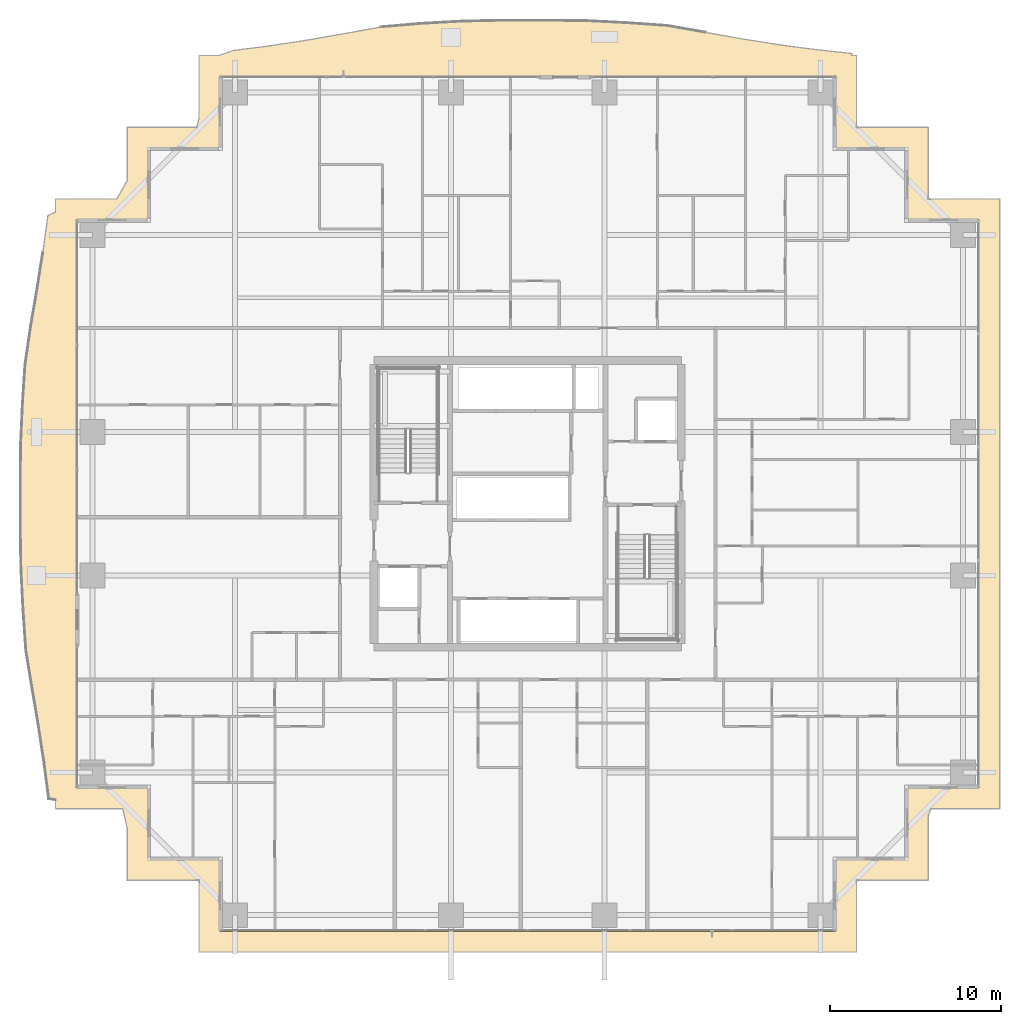
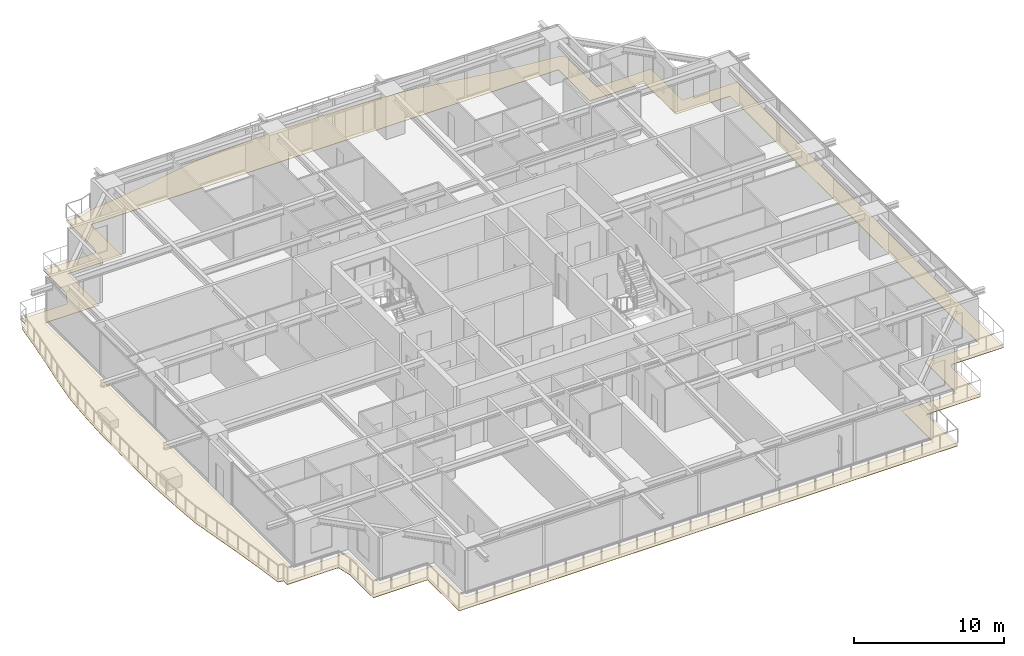
# One storey, part 33 of 36: 1 covering.
"""IFC4 building model written with IfcOpenShell, lengths in metres."""

from ifc_helpers import new_model, si_unit, direction, frame, origin, place, context, subcontext, project, spatial, polyline, outline, extrude, material, layer, layer_set, type_object, element, save


model = new_model("IFC4")

# Units and contexts
model_context = context("Model", 3, precision=1e-05, world=origin(), true_north=direction((0.0, 1.0)))
body_context = subcontext(model_context, "Body", "Model", "MODEL_VIEW")
ifc_project = project(units=[si_unit("LENGTHUNIT", "METRE"), si_unit("AREAUNIT", "SQUARE_METRE"), si_unit("VOLUMEUNIT", "CUBIC_METRE"), si_unit("PLANEANGLEUNIT", "RADIAN"), si_unit("MASSUNIT", "GRAM", prefix="KILO")], contexts=[model_context])

# Site, building, storey
site_placement = place(None, origin())
site = spatial("IfcSite", under=ifc_project, at=site_placement, CompositionType="ELEMENT")
building_placement = place(site_placement, origin())
building = spatial("IfcBuilding", under=site, at=building_placement, Name="Serunith Strait Residences", CompositionType="ELEMENT")
storey_placement = place(building_placement, frame((0.0, 0.0, 86.699951171875)))
storey = spatial("IfcBuildingStorey", under=building, at=storey_placement, Name="L21", CompositionType="ELEMENT", Elevation=86.699951171875)

# Covering
ifc_material = material(Name="Golden Teak Exterior Timber Boarding", Category="wood")
ifc_layer = layer(ifc_material, 0.034912109375, Name="Golden Teak Exterior Timber Boarding")
ifc_layer_set = layer_set([ifc_layer], Name="Golden Teak Exterior Timber Boarding")
covering_type = type_object("IfcCoveringType", Name="COV-TEAK-SOFFIT", PredefinedType="CEILING", material=ifc_layer_set)
covering_placement = place(storey_placement, frame((0.0, 0.0, -0.324951171875)))
element("IfcCovering", 1, at=covering_placement, inside=storey, type_object=covering_type, Name="L21 Golden-Teak Balcony Soffit Lining", PredefinedType="CEILING", context=body_context, shape_type="SweptSolid", body=[
    extrude(outline(polyline([(4.739990234375, 7.8505859375), (4.345703125, 7.9140625), (4.0703125, 10.04248046875), (3.7431640625, 12.192138671875), (3.375, 14.379638671875), (3.006591796875, 16.626953125), (2.8447265625, 18.977294921875), (2.723388671875, 21.359375), (2.679931640625, 23.763427734375), (2.679931640625, 26.1767578125), (2.697021484375, 28.584716796875), (2.8046875, 30.973388671875), (2.95703125, 33.33203125), (3.2861328125, 35.60302734375), (3.662109375, 37.800048828125), (4.001220703125, 39.955078125), (4.289794921875, 42.085693359375), (4.739990234375, 42.291259765625), (4.739990234375, 43.06005859375), (8.32763671875, 43.06005859375), (8.93994140625, 44.131103515625), (8.93994140625, 47.260009765625), (13.003662109375, 47.260009765625), (13.139892578125, 47.772705078125), (13.139892578125, 51.4599609375), (14.30224609375, 51.4599609375), (15.122802734375, 51.753173828125), (17.24560546875, 52.021728515625), (19.386474609375, 52.34912109375), (21.563232421875, 52.7275390625), (23.796630859375, 53.1328125), (26.14501953125, 53.333740234375), (28.53662109375, 53.4677734375), (30.954345703125, 53.52001953125), (33.383056640625, 53.52001953125), (35.804931640625, 53.49658203125), (38.20458984375, 53.377197265625), (40.569580078125, 53.209716796875), (42.821533203125, 52.81884765625), (45.007568359375, 52.430419921875), (47.1533203125, 52.089111328125), (49.27734375, 51.806396484375), (51.394287109375, 51.581298828125), (51.393310546875, 51.4599609375), (51.659912109375, 51.4599609375), (51.659912109375, 47.260009765625), (55.860107421875, 47.260009765625), (55.860107421875, 43.06005859375), (60.06005859375, 43.06005859375), (60.06005859375, 7.340087890625), (56.041259765625, 7.340087890625), (55.860107421875, 6.9423828125), (55.860107421875, 3.139892578125), (51.659912109375, 3.139892578125), (51.659912109375, -1.06005859375), (13.139892578125, -1.06005859375), (13.139892578125, 3.139892578125), (8.93994140625, 3.139892578125), (8.93994140625, 6.194580078125), (8.6787109375, 7.340087890625), (4.739990234375, 7.340087890625), (4.739990234375, 7.8505859375)]), holes=[polyline([(50.455078125, 0.14501953125), (50.455078125, 4.344970703125), (54.655029296875, 4.344970703125), (54.655029296875, 8.544921875), (58.85498046875, 8.544921875), (58.85498046875, 41.85498046875), (54.655029296875, 41.85498046875), (54.655029296875, 46.054931640625), (50.455078125, 46.054931640625), (50.455078125, 50.2548828125), (14.344970703125, 50.2548828125), (14.344970703125, 46.054931640625), (10.14501953125, 46.054931640625), (10.14501953125, 41.85498046875), (5.945068359375, 41.85498046875), (5.945068359375, 8.544921875), (10.14501953125, 8.544921875), (10.14501953125, 4.344970703125), (14.344970703125, 4.344970703125), (14.344970703125, 0.14501953125), (50.455078125, 0.14501953125)])]), origin(), (0.0, 0.0, 1.0), 0.034912109375),
])

save(model, "model.ifc")
